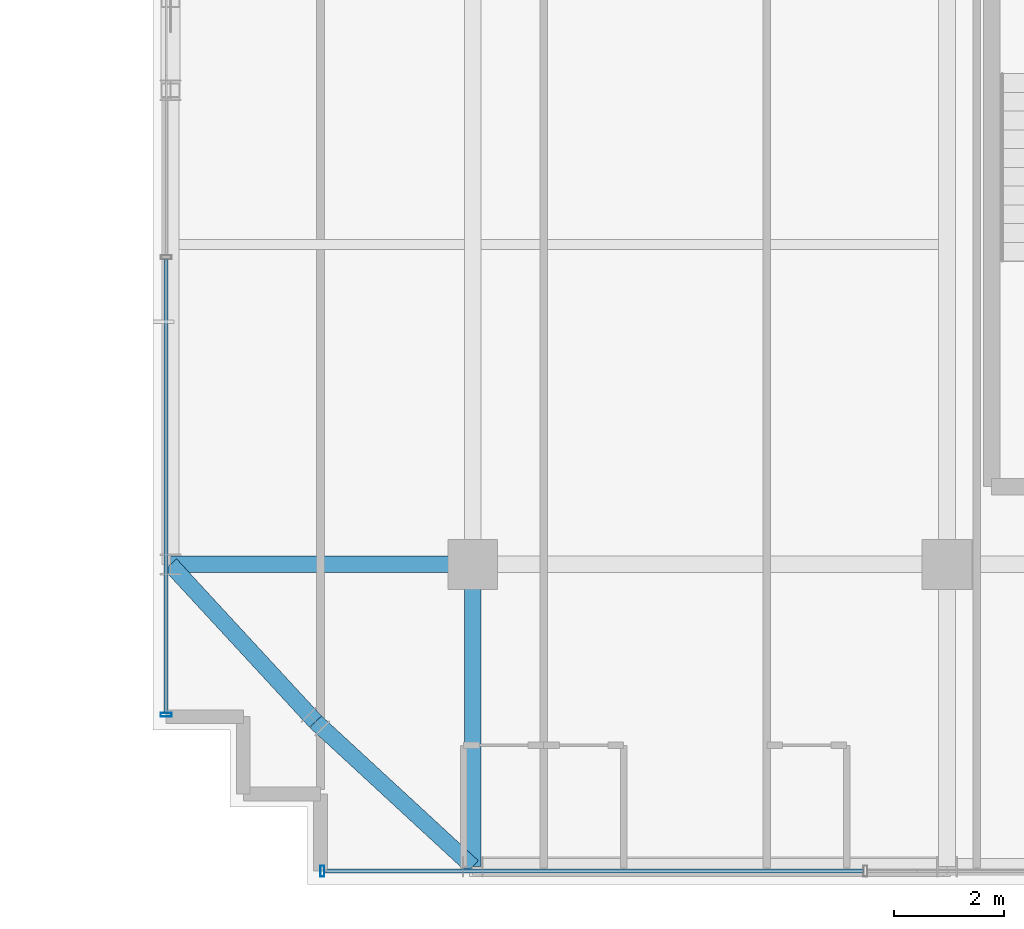
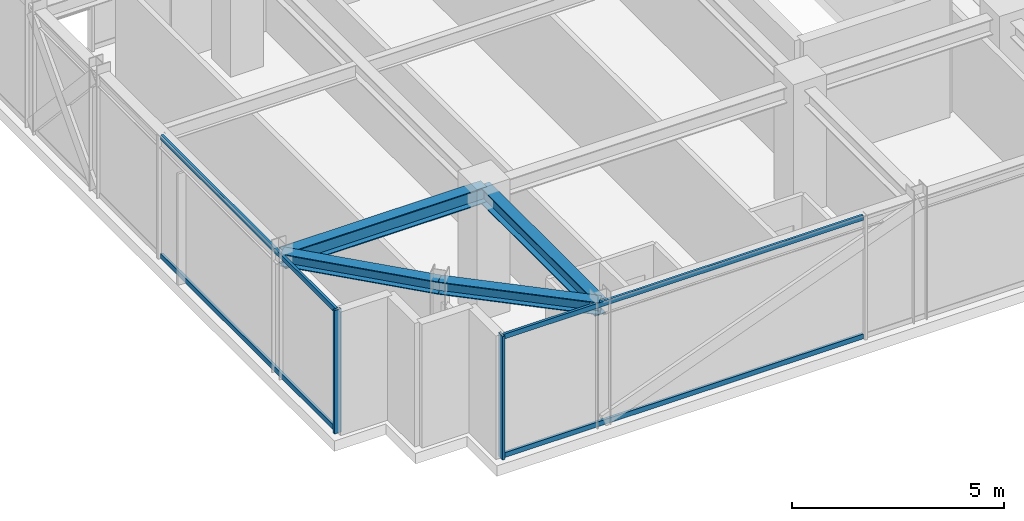
# One storey, part 4 of 41: 6 members, 4 beams, 2 elements without a shape of their own.
"""IFC4 building model written with IfcOpenShell, lengths in metres."""

import ifcopenshell
import ifcopenshell.guid

model = None  # the IFC model being written
_history = None  # IfcOwnerHistory: only IFC2X3 demands one
_inside = {}  # id of a spatial element -> (the spatial element, [elements in it])
_under = {}  # id of a project, library or spatial element -> (it, [spatial elements below it])
_declared = {}  # id of a project -> (the project, [libraries it declares])
_typed = {}  # id of a type object -> (the type object, [elements of that type])
_made_of = {}  # id of a material, layer set ... -> (it, [elements and type objects made of it])


def new_model(schema):
    """Start an empty IFC model of exactly this schema.

    Asked for "IFC4X3", IfcOpenShell would pick the latest addendum, in which some entities
    have other attributes; the version numbers below select the first issue.
    IFC2X3 requires an IfcOwnerHistory on every rooted entity: one is made here for all.
    """
    global model, _history
    if schema == "IFC4X3":
        model = ifcopenshell.file(schema_version=(4, 3, 0, 0))
    else:
        model = ifcopenshell.file(schema=schema)
    _inside.clear()
    _under.clear()
    _declared.clear()
    _typed.clear()
    _made_of.clear()
    _history = None
    if model.schema == "IFC2X3":
        org = make("IfcOrganization", Name="unknown")
        user = make(
            "IfcPersonAndOrganization",
            ThePerson=make("IfcPerson", FamilyName="unknown"),
            TheOrganization=org,
        )
        app = make(
            "IfcApplication",
            ApplicationDeveloper=org,
            Version="unknown",
            ApplicationFullName="unknown",
            ApplicationIdentifier="unknown",
        )
        _history = make(
            "IfcOwnerHistory",
            OwningUser=user,
            OwningApplication=app,
            ChangeAction="ADDED",
            CreationDate=0,
        )
    return model


def make(cls, **values):
    """One entity of the class cls with the attributes given. An attribute that is None is left unset."""
    return model.create_entity(
        cls, **{name: value for name, value in values.items() if value is not None}
    )


def rooted(cls, **values):
    """An entity with a GlobalId (a new one), such as an element, a storey or a relation."""
    return make(cls, GlobalId=ifcopenshell.guid.new(), OwnerHistory=_history, **values)


def si_unit(unit_type, name, prefix=None):
    """IfcSIUnit, for example si_unit("LENGTHUNIT", "METRE", prefix="MILLI")."""
    return make("IfcSIUnit", UnitType=unit_type, Prefix=prefix, Name=name)


def assignment(units):
    """IfcUnitAssignment: the units of a project."""
    return None if units is None else make("IfcUnitAssignment", Units=units)


def point(xyz):
    """IfcCartesianPoint."""
    return None if xyz is None else make("IfcCartesianPoint", Coordinates=xyz)


def direction(xyz):
    """IfcDirection."""
    return None if xyz is None else make("IfcDirection", DirectionRatios=xyz)


def frame(location, z_axis=None, x_axis=None):
    """IfcAxis2Placement3D, a coordinate frame: its origin and axes. An axis left out is left unset."""
    return make(
        "IfcAxis2Placement3D",
        Location=point(location),
        Axis=direction(z_axis),
        RefDirection=direction(x_axis),
    )


def frame_2d(location, x_axis=None):
    """IfcAxis2Placement2D, a coordinate frame in the plane: its origin and x axis."""
    return make(
        "IfcAxis2Placement2D", Location=point(location), RefDirection=direction(x_axis)
    )


def origin():
    """The frame at (0, 0, 0) with its axes left unset."""
    return frame((0.0, 0.0, 0.0))


def origin_2d():
    """The frame at (0, 0) in the plane with its x axis left unset."""
    return frame_2d((0.0, 0.0))


def place(relative_to, where):
    """IfcLocalPlacement: puts the frame where relative to a parent placement (None: the world)."""
    return make(
        "IfcLocalPlacement", PlacementRelTo=relative_to, RelativePlacement=where
    )


def context(
    kind, dimensions, precision=None, world=None, true_north=None, identifier=None
):
    """IfcGeometricRepresentationContext, for example the 3D "Model" context."""
    return make(
        "IfcGeometricRepresentationContext",
        ContextIdentifier=identifier,
        ContextType=kind,
        CoordinateSpaceDimension=dimensions,
        Precision=precision,
        WorldCoordinateSystem=world,
        TrueNorth=true_north,
    )


def subcontext(parent, identifier, kind, view, scale=None):
    """IfcGeometricRepresentationSubContext, for example "Body" below "Model"."""
    return make(
        "IfcGeometricRepresentationSubContext",
        ContextIdentifier=identifier,
        ContextType=kind,
        ParentContext=parent,
        TargetScale=scale,
        TargetView=view,
    )


def project(units=None, contexts=None):
    """IfcProject with its units and contexts."""
    return rooted(
        "IfcProject",
        Name="project",
        RepresentationContexts=contexts,
        UnitsInContext=assignment(units),
    )


def spatial(cls, under=None, at=None, **own):
    """A site, building, storey or space (cls), placed at a placement, below another one or the project."""
    s = rooted(cls, ObjectPlacement=at, **own)
    if under is not None:
        _under.setdefault(under.id(), (under, []))[1].append(s)
    return s


def profile(cls, at=None, kind="AREA", **sizes):
    """A parametric profile (cls). Its sizes go by their IFC names, for example OverallWidth=200.0."""
    return make(cls, ProfileType=kind, Position=at, **sizes)


def hollow_rectangle(**sizes):
    """IfcRectangleHollowProfileDef."""
    return profile("IfcRectangleHollowProfileDef", **sizes)


def i_section(**sizes):
    """IfcIShapeProfileDef."""
    return profile("IfcIShapeProfileDef", **sizes)


def extrude(swept, where, along, depth):
    """IfcExtrudedAreaSolid: the profile swept, set in the frame where, extruded along a direction by depth."""
    return make(
        "IfcExtrudedAreaSolid",
        SweptArea=swept,
        Position=where,
        ExtrudedDirection=direction(along),
        Depth=depth,
    )


def shape(context_of_items, identifier, shape_type, items):
    """IfcShapeRepresentation: the items that make up one representation, for example the "Body"."""
    return make(
        "IfcShapeRepresentation",
        ContextOfItems=context_of_items,
        RepresentationIdentifier=identifier,
        RepresentationType=shape_type,
        Items=items,
    )


def source(mapping_origin, context_of_items, identifier, shape_type, items):
    """IfcRepresentationMap: a shape defined once, which mapped items show again and again."""
    return make(
        "IfcRepresentationMap",
        MappingOrigin=mapping_origin,
        MappedRepresentation=shape(context_of_items, identifier, shape_type, items),
    )


def transform(
    local_origin,
    x_axis=None,
    y_axis=None,
    z_axis=None,
    scale=None,
    scale2=None,
    scale3=None,
    uniform=True,
):
    """IfcCartesianTransformationOperator3D, or its non-uniform kind. x_axis, y_axis, z_axis: its Axis1, 2, 3."""
    if uniform:
        return make(
            "IfcCartesianTransformationOperator3D",
            Axis1=direction(x_axis),
            Axis2=direction(y_axis),
            LocalOrigin=point(local_origin),
            Scale=scale,
            Axis3=direction(z_axis),
        )
    return make(
        "IfcCartesianTransformationOperator3DnonUniform",
        Axis1=direction(x_axis),
        Axis2=direction(y_axis),
        LocalOrigin=point(local_origin),
        Scale=scale,
        Axis3=direction(z_axis),
        Scale2=scale2,
        Scale3=scale3,
    )


def mapped(mapping_source, mapping_target):
    """IfcMappedItem: shows the shape of a source again, moved by a transform."""
    return make(
        "IfcMappedItem", MappingSource=mapping_source, MappingTarget=mapping_target
    )


def material(Name=None, Category=None):
    """IfcMaterial."""
    return make("IfcMaterial", Name=Name, Category=Category)


def material_profile(
    of_material, cross_section, Name=None, Category=None, Priority=None
):
    """IfcMaterialProfile: a cross section and its material."""
    return make(
        "IfcMaterialProfile",
        Name=Name,
        Material=of_material,
        Profile=cross_section,
        Priority=Priority,
        Category=Category,
    )


def profile_set(profiles, Name=None, composite=None):
    """IfcMaterialProfileSet."""
    return make(
        "IfcMaterialProfileSet",
        Name=Name,
        MaterialProfiles=profiles,
        CompositeProfile=composite,
    )


def made_of(thing, what):
    """Note that an element or type object is made of a material, layer set ...; save() writes the relation."""
    if what is not None:
        _made_of.setdefault(what.id(), (what, []))[1].append(thing)
    return thing


def type_object(cls, material=None, **own):
    """A type object (cls), such as IfcWallType, which elements share."""
    return made_of(rooted(cls, **own), material)


def element(
    cls,
    number,
    at=None,
    inside=None,
    cuts=None,
    type_object=None,
    material=None,
    context=None,
    identifier="Body",
    shape_type=None,
    held_by="IfcProductDefinitionShape",
    body=None,
    shapes=None,
    **own,
):
    """One element of the class cls, such as IfcWall. Its Tag is "e" and its number.

    at: its placement. inside: the storey or other place that contains it. cuts: it is an
    opening in that element (IfcRelVoidsElement). A single representation is given by context,
    identifier, shape_type and body (its items); several are given by shapes. held_by: the class
    of the entity that holds the representations. save() writes the other relations.
    """
    e = rooted(cls, Tag="e%d" % number, ObjectPlacement=at, **own)
    if body is not None:
        shapes = [shape(context, identifier, shape_type, body)]
    if shapes is not None:
        e.Representation = make(held_by, Representations=shapes)
    if inside is not None:
        _inside.setdefault(inside.id(), (inside, []))[1].append(e)
    if cuts is not None:
        rooted(
            "IfcRelVoidsElement", RelatingBuildingElement=cuts, RelatedOpeningElement=e
        )
    if type_object is not None:
        _typed.setdefault(type_object.id(), (type_object, []))[1].append(e)
    return made_of(e, material)


def aggregate(whole, parts):
    """IfcRelAggregates: a whole, such as a stair, and the parts it consists of."""
    return rooted("IfcRelAggregates", RelatingObject=whole, RelatedObjects=parts)


def save(model, path):
    """Write the relations noted so far, then the file.

    IfcRelAggregates (storeys below a building ...), IfcRelContainedInSpatialStructure (elements
    in a storey), IfcRelDefinesByType, IfcRelAssociatesMaterial and IfcRelDeclares: one each for
    every whole, place, type object, material and project.
    """
    for whole, parts in _under.values():
        aggregate(whole, parts)
    for where, things in _inside.values():
        rooted(
            "IfcRelContainedInSpatialStructure",
            RelatedElements=things,
            RelatingStructure=where,
        )
    for kind, things in _typed.values():
        rooted("IfcRelDefinesByType", RelatedObjects=things, RelatingType=kind)
    for what, things in _made_of.values():
        rooted("IfcRelAssociatesMaterial", RelatedObjects=things, RelatingMaterial=what)
    for by, libraries in _declared.values():
        rooted("IfcRelDeclares", RelatingContext=by, RelatedDefinitions=libraries)
    model.write(path)


model = new_model("IFC4")

# Units and contexts
model_context = context("Model", 3, precision=1e-05, world=origin(), true_north=direction((0.0, 1.0)))
body_context = subcontext(model_context, "Body", "Model", "MODEL_VIEW")
ifc_project = project(units=[si_unit("LENGTHUNIT", "METRE"), si_unit("AREAUNIT", "SQUARE_METRE"), si_unit("VOLUMEUNIT", "CUBIC_METRE"), si_unit("PLANEANGLEUNIT", "RADIAN"), si_unit("MASSUNIT", "GRAM", prefix="KILO")], contexts=[model_context])

# Site, building, storey
site_placement = place(None, origin())
site = spatial("IfcSite", under=ifc_project, at=site_placement, CompositionType="ELEMENT")
building_placement = place(site_placement, origin())
building = spatial("IfcBuilding", under=site, at=building_placement, Name="Nahalor Promenade Grand Hotel", CompositionType="ELEMENT")
storey_placement = place(building_placement, frame((0.0, 0.0, 304.199951171875)))
storey = spatial("IfcBuildingStorey", under=building, at=storey_placement, Name="L78", CompositionType="ELEMENT", Elevation=304.199951171875)

# Beams
ifc_material_1 = material(Name="Steel S355JR", Category="steel")
ifc_material_profile_1 = material_profile(ifc_material_1, i_section(OverallWidth=0.3, OverallDepth=0.45, WebThickness=0.014, FlangeThickness=0.026, at=origin_2d()), Name="HEB 450")
ifc_profile_set_1 = profile_set([ifc_material_profile_1], Name="Steel S355JR")
beam_type_1 = type_object("IfcBeamType", Name="Beam-Girder-HEB450", PredefinedType="BEAM", material=ifc_profile_set_1)
shared_shape_1 = source(origin(), body_context, "Body", "SweptSolid", [
    extrude(i_section(OverallWidth=0.3, OverallDepth=0.45, WebThickness=0.014, FlangeThickness=0.026, at=origin_2d()), origin(), (0.0, 0.0, 1.0), 5.47998046875),
])
for number, where, z_axis, x_axis, name in (
    (1, (-22.47998046875, -17.0, 3.324951171875), (1.0, 0.0, 0.0), (0.0, 1.0, 0.0), "BM-L78-GX-0-0"),
    (2, (-17.0, -22.47998046875, 3.324951171875), (0.0, 1.0, 0.0), (-1.0, 0.0, 0.0), "BM-L78-GY-0-0"),
):
    element("IfcBeam", number, at=place(storey_placement, frame(where, z_axis=z_axis, x_axis=x_axis)), inside=storey, type_object=beam_type_1, Name=name, PredefinedType="BEAM", context=body_context, shape_type="MappedRepresentation", body=[
        mapped(shared_shape_1, transform((0.0, 0.0, 0.0), scale=1.0)),
    ])
ifc_material_profile_2 = material_profile(ifc_material_1, i_section(OverallWidth=0.3, OverallDepth=0.36, WebThickness=0.0125, FlangeThickness=0.0225, at=origin_2d()), Name="HEB 360")
ifc_profile_set_2 = profile_set([ifc_material_profile_2], Name="Steel S355JR")
beam_type_2 = type_object("IfcBeamType", Name="Beam-Spandrel-HEB360", PredefinedType="SPANDREL", material=ifc_profile_set_2)
shared_shape_2 = source(origin(), body_context, "Body", "SweptSolid", [
    extrude(i_section(OverallWidth=0.3, OverallDepth=0.36, WebThickness=0.0125, FlangeThickness=0.0225, at=origin_2d()), origin(), (0.0, 0.0, 1.0), 3.878173828125),
])
for number, where, z_axis, x_axis, name in (
    (3, (-17.0, -22.47998046875, 3.3701171875), (-0.73492893846, 0.678144125843, 0.0), (-0.678144125843, -0.73492893846, 0.0), "BM-L78-SPC-SW-1"),
    (4, (-19.85009765625, -19.85009765625, 3.3701171875), (-0.678144125843, 0.73492893846, 0.0), (-0.73492893846, -0.678144125843, 0.0), "BM-L78-SPC-SW-2"),
):
    element("IfcBeam", number, at=place(storey_placement, frame(where, z_axis=z_axis, x_axis=x_axis)), inside=storey, type_object=beam_type_2, Name=name, PredefinedType="SPANDREL", context=body_context, shape_type="MappedRepresentation", body=[
        mapped(shared_shape_2, transform((0.0, 0.0, 0.0), scale=1.0)),
    ])

# Curtain wall, members
ifc_material_2 = material(Name="Anodised Bronze Aluminium EN AW-6063 T6", Category="aluminium")
curtain_wall_type = type_object("IfcCurtainWallType", Name="CW3 Elliptical-Void Collar Unitised Curtain Wall", PredefinedType="USERDEFINED", material=ifc_material_2)
curtain_wall_1_placement = place(storey_placement, origin())
curtain_wall_1 = element("IfcCurtainWall", 5, at=curtain_wall_1_placement, inside=storey, type_object=curtain_wall_type, Name="L78 Curtain Wall CW-L78-S-1", ObjectType="UNITISED_CURTAIN_WALL", PredefinedType="USERDEFINED")
ifc_material_profile_3 = material_profile(ifc_material_2, hollow_rectangle(XDim=0.07, YDim=0.14, WallThickness=0.004, at=origin_2d()), Name="CWT 70x140x4")
ifc_profile_set_3 = profile_set([ifc_material_profile_3], Name="Anodised Bronze Aluminium EN AW-6063 T6")
member_type_1 = type_object("IfcMemberType", Name="CWT3 Void Collar Transom 70x140", PredefinedType="USERDEFINED", material=ifc_profile_set_3)
shared_shape_3 = source(origin(), body_context, "Body", "SweptSolid", [
    extrude(hollow_rectangle(XDim=0.07, YDim=0.14, WallThickness=0.004, at=origin_2d()), origin(), (0.0, 0.0, 1.0), 9.77490234375),
])
member_1_placement = place(storey_placement, frame((-19.68994140625, -22.56005859375, 0.070068359375), z_axis=(1.0, 0.0, 0.0), x_axis=(0.0, 1.0, 0.0)))
member_1 = element("IfcMember", 6, at=member_1_placement, type_object=member_type_1, Name="CW-L78-S-1 Transom 0-0", ObjectType="TRANSOM", PredefinedType="USERDEFINED", context=body_context, shape_type="MappedRepresentation", body=[
    mapped(shared_shape_3, transform((0.0, 0.0, 0.0), scale=1.0)),
])
member_2_placement = place(storey_placement, frame((-19.68994140625, -22.56005859375, 3.47998046875), z_axis=(1.0, 0.0, 0.0), x_axis=(0.0, 1.0, 0.0)))
member_2 = element("IfcMember", 7, at=member_2_placement, type_object=member_type_1, Name="CW-L78-S-1 Transom 0-1", ObjectType="TRANSOM", PredefinedType="USERDEFINED", context=body_context, shape_type="MappedRepresentation", body=[
    mapped(shared_shape_3, transform((0.0, 0.0, 0.0), scale=1.0)),
])

curtain_wall_2_placement = place(storey_placement, origin())
curtain_wall_2 = element("IfcCurtainWall", 8, at=curtain_wall_2_placement, inside=storey, type_object=curtain_wall_type, Name="L78 Curtain Wall CW-L78-W-1", ObjectType="UNITISED_CURTAIN_WALL", PredefinedType="USERDEFINED")
shared_shape_4 = source(origin(), body_context, "Body", "SweptSolid", [
    extrude(hollow_rectangle(XDim=0.07, YDim=0.14, WallThickness=0.004, at=origin_2d()), origin(), (0.0, 0.0, 1.0), 8.224853515625),
])
member_3_placement = place(storey_placement, frame((-22.56005859375, -19.68994140625, 0.070068359375), z_axis=(0.0, 1.0, 0.0), x_axis=(-1.0, 0.0, 0.0)))
member_3 = element("IfcMember", 9, at=member_3_placement, type_object=member_type_1, Name="CW-L78-W-1 Transom 0-0", ObjectType="TRANSOM", PredefinedType="USERDEFINED", context=body_context, shape_type="MappedRepresentation", body=[
    mapped(shared_shape_4, transform((0.0, 0.0, 0.0), scale=1.0)),
])
member_4_placement = place(storey_placement, frame((-22.56005859375, -19.68994140625, 3.47998046875), z_axis=(0.0, 1.0, 0.0), x_axis=(-1.0, 0.0, 0.0)))
member_4 = element("IfcMember", 10, at=member_4_placement, type_object=member_type_1, Name="CW-L78-W-1 Transom 0-1", ObjectType="TRANSOM", PredefinedType="USERDEFINED", context=body_context, shape_type="MappedRepresentation", body=[
    mapped(shared_shape_4, transform((0.0, 0.0, 0.0), scale=1.0)),
])

# Member
ifc_material_profile_4 = material_profile(ifc_material_2, hollow_rectangle(XDim=0.07, YDim=0.2, WallThickness=0.005, at=origin_2d()), Name="CWM 70x200x5")
ifc_profile_set_4 = profile_set([ifc_material_profile_4], Name="Anodised Bronze Aluminium EN AW-6063 T6")
member_type_2 = type_object("IfcMemberType", Name="CWM3 Void Collar Mullion 70x200", PredefinedType="MULLION", material=ifc_profile_set_4)
shared_shape_5 = source(origin(), body_context, "Body", "SweptSolid", [
    extrude(hollow_rectangle(XDim=0.07, YDim=0.2, WallThickness=0.005, at=origin_2d()), origin(), (0.0, 0.0, 1.0), 3.550048828125),
])
member_5_placement = place(storey_placement, frame((-19.72509765625, -22.56005859375, 0.0), z_axis=(0.0, 0.0, 1.0), x_axis=(1.0, 0.0, 0.0)))
member_5 = element("IfcMember", 11, at=member_5_placement, type_object=member_type_2, Name="CW-L78-S-1 Mullion 0", PredefinedType="MULLION", context=body_context, shape_type="MappedRepresentation", body=[
    mapped(shared_shape_5, transform((0.0, 0.0, 0.0), scale=1.0)),
])

aggregate(curtain_wall_1, [member_5, member_1, member_2])

member_6_placement = place(storey_placement, frame((-22.56005859375, -19.72509765625, 0.0), z_axis=(0.0, 0.0, 1.0), x_axis=(0.0, 1.0, 0.0)))
member_6 = element("IfcMember", 12, at=member_6_placement, type_object=member_type_2, Name="CW-L78-W-1 Mullion 0", PredefinedType="MULLION", context=body_context, shape_type="MappedRepresentation", body=[
    mapped(shared_shape_5, transform((0.0, 0.0, 0.0), scale=1.0)),
])

aggregate(curtain_wall_2, [member_6, member_3, member_4])

save(model, "model.ifc")
